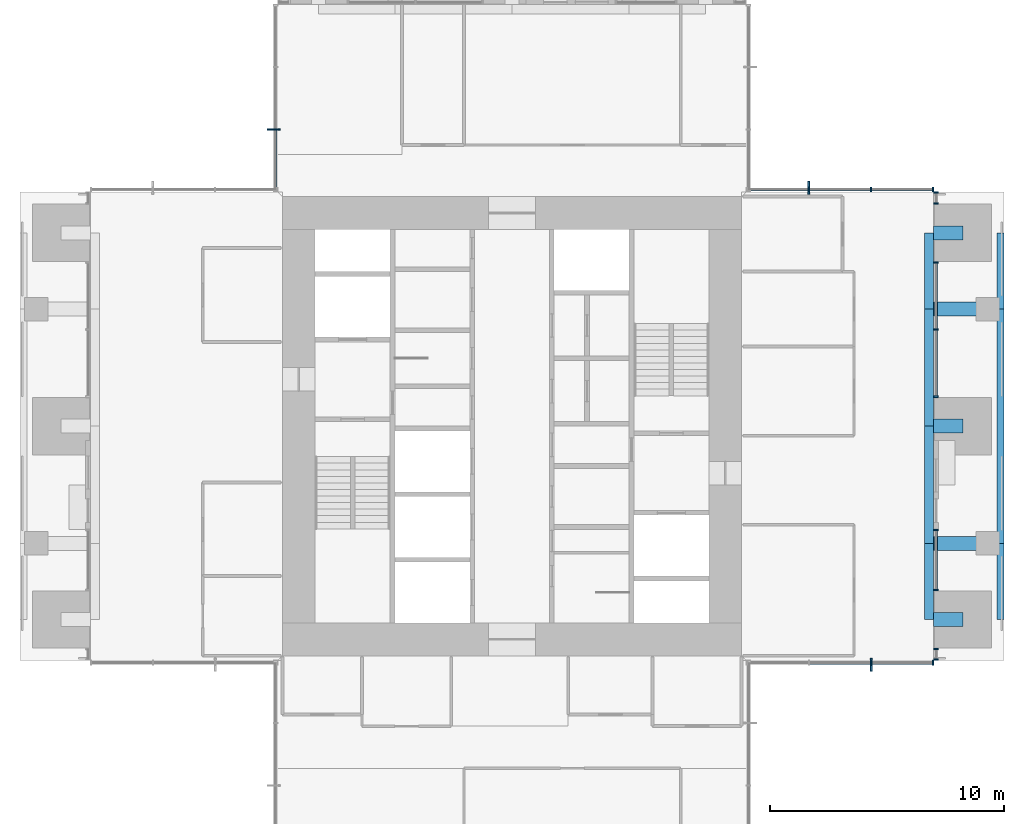
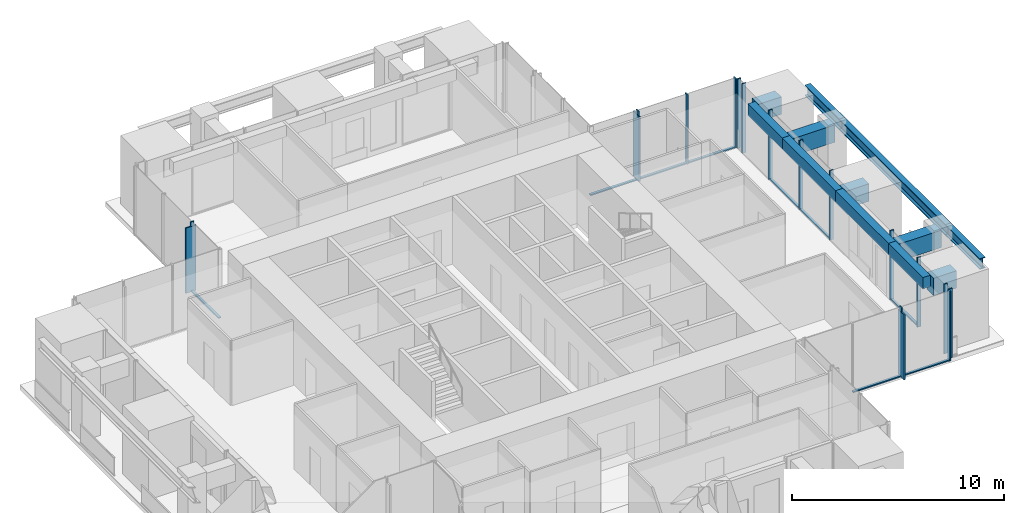
# One storey, part 4 of 17: 27 members, 12 beams, 7 elements without a shape of their own.
"""IFC4 building model written with IfcOpenShell, lengths in metres."""

from ifc_helpers import new_model, si_unit, direction, frame, origin, origin_2d, place, context, subcontext, project, spatial, rectangle, i_section, extrude, material, material_profile, profile_set, type_object, element, aggregate, save


model = new_model("IFC4")

# Units and contexts
model_context = context("Model", 3, precision=1e-05, world=origin(), true_north=direction((0.0, 1.0)))
body_context = subcontext(model_context, "Body", "Model", "MODEL_VIEW")
ifc_project = project(units=[si_unit("LENGTHUNIT", "METRE"), si_unit("AREAUNIT", "SQUARE_METRE"), si_unit("VOLUMEUNIT", "CUBIC_METRE"), si_unit("PLANEANGLEUNIT", "RADIAN"), si_unit("MASSUNIT", "GRAM", prefix="KILO")], contexts=[model_context])

# Site, building, storey
site_placement = place(None, origin())
site = spatial("IfcSite", under=ifc_project, at=site_placement, CompositionType="ELEMENT")
building_placement = place(site_placement, origin())
building = spatial("IfcBuilding", under=site, at=building_placement, Name="Svetlomir Tower", CompositionType="ELEMENT")
storey_placement = place(building_placement, frame((0.0, 0.0, 194.5)))
storey = spatial("IfcBuildingStorey", under=building, at=storey_placement, Name="L46", CompositionType="ELEMENT", Elevation=194.5)

# Curtain wall, member
ifc_material_1 = material(Name="Bronze anodised aluminium curtain wall", Category="aluminium")
curtain_wall_type = type_object("IfcCurtainWallType", Name="CURTAIN WALL CW1 TOWER OFFICE", PredefinedType="NOTDEFINED", material=ifc_material_1)
curtain_wall_1_placement = place(storey_placement, origin())
curtain_wall_1 = element("IfcCurtainWall", 1, at=curtain_wall_1_placement, inside=storey, type_object=curtain_wall_type, Name="Curtain wall CW1 L46", PredefinedType="NOTDEFINED")
ifc_material_2 = material(Name="Bronze anodised aluminium", Category="aluminium")
ifc_material_profile_1 = material_profile(ifc_material_2, rectangle(XDim=0.080078125, YDim=0.550048828125, at=origin_2d()), Name="FIN 80x550")
ifc_profile_set_1 = profile_set([ifc_material_profile_1], Name="Bronze anodised aluminium 6063-T6")
member_type_1 = type_object("IfcMemberType", Name="BRONZE FIN 80x550", PredefinedType="USERDEFINED", material=ifc_profile_set_1)
member_1_placement = place(storey_placement, frame((36.333251953125, 10.824951171875, 0.0), z_axis=(0.0, 0.0, 1.0), x_axis=(1.0, 0.0, 0.0)))
member_1 = element("IfcMember", 2, at=member_1_placement, type_object=member_type_1, Name="Bronze fin L46", ObjectType="FIN", PredefinedType="USERDEFINED", context=body_context, shape_type="SweptSolid", body=[
    extrude(rectangle(XDim=0.080078125, YDim=0.550048828125, at=origin_2d()), origin(), (0.0, 0.0, 1.0), 3.75),
])

curtain_wall_2_placement = place(storey_placement, origin())
curtain_wall_2 = element("IfcCurtainWall", 3, at=curtain_wall_2_placement, inside=storey, type_object=curtain_wall_type, Name="Curtain wall CW1 L46", PredefinedType="NOTDEFINED")
member_2_placement = place(storey_placement, frame((33.666748046875, 31.175048828125, 0.0), z_axis=(0.0, 0.0, 1.0), x_axis=(1.0, 0.0, 0.0)))
member_2 = element("IfcMember", 4, at=member_2_placement, type_object=member_type_1, Name="Bronze fin L46", ObjectType="FIN", PredefinedType="USERDEFINED", context=body_context, shape_type="SweptSolid", body=[
    extrude(rectangle(XDim=0.080078125, YDim=0.550048828125, at=origin_2d()), origin(), (0.0, 0.0, 1.0), 3.75),
])

curtain_wall_3_placement = place(storey_placement, origin())
curtain_wall_3 = element("IfcCurtainWall", 5, at=curtain_wall_3_placement, inside=storey, type_object=curtain_wall_type, Name="Curtain wall CW1 L46", PredefinedType="NOTDEFINED")
member_3_placement = place(storey_placement, frame((10.824951171875, 33.666748046875, 0.0), z_axis=(0.0, 0.0, 1.0), x_axis=(0.0, 1.0, 0.0)))
member_3 = element("IfcMember", 6, at=member_3_placement, type_object=member_type_1, Name="Bronze fin L46", ObjectType="FIN", PredefinedType="USERDEFINED", context=body_context, shape_type="SweptSolid", body=[
    extrude(rectangle(XDim=0.080078125, YDim=0.550048828125, at=origin_2d()), origin(), (0.0, 0.0, 1.0), 3.75),
])

# Member
ifc_material_3 = material(Name="Bronze anodised aluminium", Category="aluminium")
ifc_material_profile_2 = material_profile(ifc_material_3, rectangle(XDim=0.06494140625, YDim=0.199951171875, at=origin_2d()), Name="AL 65x200")
ifc_profile_set_2 = profile_set([ifc_material_profile_2], Name="Bronze anodised aluminium 6063-T6")
member_type_2 = type_object("IfcMemberType", Name="CW1 MULLION 65x200", PredefinedType="MULLION", material=ifc_profile_set_2)
member_4_placement = place(storey_placement, frame((36.333251953125, 10.89990234375, 0.0), z_axis=(0.0, 0.0, 1.0), x_axis=(1.0, 0.0, 0.0)))
member_4 = element("IfcMember", 7, at=member_4_placement, type_object=member_type_2, Name="CW1 mullion 3", PredefinedType="MULLION", context=body_context, shape_type="SweptSolid", body=[
    extrude(rectangle(XDim=0.06494140625, YDim=0.199951171875, at=origin_2d()), origin(), (0.0, 0.0, 1.0), 4.0),
])

member_5_placement = place(storey_placement, frame((38.967529296875, 10.89990234375, 0.0), z_axis=(0.0, 0.0, 1.0), x_axis=(1.0, 0.0, 0.0)))
member_5 = element("IfcMember", 8, at=member_5_placement, type_object=member_type_2, Name="CW1 mullion 4", PredefinedType="MULLION", context=body_context, shape_type="SweptSolid", body=[
    extrude(rectangle(XDim=0.06494140625, YDim=0.199951171875, at=origin_2d()), origin(), (0.0, 0.0, 1.0), 4.0),
])

# Curtain wall, members
curtain_wall_4_placement = place(storey_placement, origin())
curtain_wall_4 = element("IfcCurtainWall", 9, at=curtain_wall_4_placement, inside=storey, type_object=curtain_wall_type, Name="Curtain wall CW1 L46", PredefinedType="NOTDEFINED")
member_6_placement = place(storey_placement, frame((39.10009765625, 11.032470703125, 0.0), z_axis=(0.0, 0.0, 1.0), x_axis=(0.0, 1.0, 0.0)))
member_6 = element("IfcMember", 10, at=member_6_placement, type_object=member_type_2, Name="CW1 mullion 1", PredefinedType="MULLION", context=body_context, shape_type="SweptSolid", body=[
    extrude(rectangle(XDim=0.06494140625, YDim=0.199951171875, at=origin_2d()), origin(), (0.0, 0.0, 1.0), 4.0),
])
member_7_placement = place(storey_placement, frame((39.10009765625, 11.492431640625, 0.0), z_axis=(0.0, 0.0, 1.0), x_axis=(0.0, 1.0, 0.0)))
member_7 = element("IfcMember", 11, at=member_7_placement, type_object=member_type_2, Name="CW1 mullion 2", PredefinedType="MULLION", context=body_context, shape_type="SweptSolid", body=[
    extrude(rectangle(XDim=0.06494140625, YDim=0.199951171875, at=origin_2d()), origin(), (0.0, 0.0, 1.0), 4.0),
])
aggregate(curtain_wall_4, [member_6, member_7])

curtain_wall_5_placement = place(storey_placement, origin())
curtain_wall_5 = element("IfcCurtainWall", 12, at=curtain_wall_5_placement, inside=storey, type_object=curtain_wall_type, Name="Curtain wall CW1 L46", PredefinedType="NOTDEFINED")
member_8_placement = place(storey_placement, frame((39.10009765625, 14.007568359375, 0.0), z_axis=(0.0, 0.0, 1.0), x_axis=(0.0, 1.0, 0.0)))
member_8 = element("IfcMember", 13, at=member_8_placement, type_object=member_type_2, Name="CW1 mullion 1", PredefinedType="MULLION", context=body_context, shape_type="SweptSolid", body=[
    extrude(rectangle(XDim=0.06494140625, YDim=0.199951171875, at=origin_2d()), origin(), (0.0, 0.0, 1.0), 4.0),
])
member_9_placement = place(storey_placement, frame((39.10009765625, 16.5673828125, 0.0), z_axis=(0.0, 0.0, 1.0), x_axis=(0.0, 1.0, 0.0)))
member_9 = element("IfcMember", 14, at=member_9_placement, type_object=member_type_2, Name="CW1 mullion 2", PredefinedType="MULLION", context=body_context, shape_type="SweptSolid", body=[
    extrude(rectangle(XDim=0.06494140625, YDim=0.199951171875, at=origin_2d()), origin(), (0.0, 0.0, 1.0), 4.0),
])

curtain_wall_6_placement = place(storey_placement, origin())
curtain_wall_6 = element("IfcCurtainWall", 15, at=curtain_wall_6_placement, inside=storey, type_object=curtain_wall_type, Name="Curtain wall CW1 L46", PredefinedType="NOTDEFINED")
member_10_placement = place(storey_placement, frame((39.10009765625, 22.257568359375, 0.0), z_axis=(0.0, 0.0, 1.0), x_axis=(0.0, 1.0, 0.0)))
member_10 = element("IfcMember", 16, at=member_10_placement, type_object=member_type_2, Name="CW1 mullion 1", PredefinedType="MULLION", context=body_context, shape_type="SweptSolid", body=[
    extrude(rectangle(XDim=0.06494140625, YDim=0.199951171875, at=origin_2d()), origin(), (0.0, 0.0, 1.0), 4.0),
])
member_11_placement = place(storey_placement, frame((39.10009765625, 25.125, 0.0), z_axis=(0.0, 0.0, 1.0), x_axis=(0.0, 1.0, 0.0)))
member_11 = element("IfcMember", 17, at=member_11_placement, type_object=member_type_2, Name="CW1 mullion 2", PredefinedType="MULLION", context=body_context, shape_type="SweptSolid", body=[
    extrude(rectangle(XDim=0.06494140625, YDim=0.199951171875, at=origin_2d()), origin(), (0.0, 0.0, 1.0), 4.0),
])
member_12_placement = place(storey_placement, frame((39.10009765625, 27.992431640625, 0.0), z_axis=(0.0, 0.0, 1.0), x_axis=(0.0, 1.0, 0.0)))
member_12 = element("IfcMember", 18, at=member_12_placement, type_object=member_type_2, Name="CW1 mullion 3", PredefinedType="MULLION", context=body_context, shape_type="SweptSolid", body=[
    extrude(rectangle(XDim=0.06494140625, YDim=0.199951171875, at=origin_2d()), origin(), (0.0, 0.0, 1.0), 4.0),
])

curtain_wall_7_placement = place(storey_placement, origin())
curtain_wall_7 = element("IfcCurtainWall", 19, at=curtain_wall_7_placement, inside=storey, type_object=curtain_wall_type, Name="Curtain wall CW1 L46", PredefinedType="NOTDEFINED")
member_13_placement = place(storey_placement, frame((39.10009765625, 30.507568359375, 0.0), z_axis=(0.0, 0.0, 1.0), x_axis=(0.0, 1.0, 0.0)))
member_13 = element("IfcMember", 20, at=member_13_placement, type_object=member_type_2, Name="CW1 mullion 1", PredefinedType="MULLION", context=body_context, shape_type="SweptSolid", body=[
    extrude(rectangle(XDim=0.06494140625, YDim=0.199951171875, at=origin_2d()), origin(), (0.0, 0.0, 1.0), 4.0),
])
member_14_placement = place(storey_placement, frame((39.10009765625, 30.967529296875, 0.0), z_axis=(0.0, 0.0, 1.0), x_axis=(0.0, 1.0, 0.0)))
member_14 = element("IfcMember", 21, at=member_14_placement, type_object=member_type_2, Name="CW1 mullion 2", PredefinedType="MULLION", context=body_context, shape_type="SweptSolid", body=[
    extrude(rectangle(XDim=0.06494140625, YDim=0.199951171875, at=origin_2d()), origin(), (0.0, 0.0, 1.0), 4.0),
])
aggregate(curtain_wall_7, [member_13, member_14])

# Member
member_15_placement = place(storey_placement, frame((38.967529296875, 31.10009765625, 0.0), z_axis=(0.0, 0.0, 1.0), x_axis=(-1.0, 0.0, 0.0)))
member_15 = element("IfcMember", 22, at=member_15_placement, type_object=member_type_2, Name="CW1 mullion 1", PredefinedType="MULLION", context=body_context, shape_type="SweptSolid", body=[
    extrude(rectangle(XDim=0.06494140625, YDim=0.199951171875, at=origin_2d()), origin(), (0.0, 0.0, 1.0), 4.0),
])

member_16_placement = place(storey_placement, frame((36.333251953125, 31.10009765625, 0.0), z_axis=(0.0, 0.0, 1.0), x_axis=(-1.0, 0.0, 0.0)))
member_16 = element("IfcMember", 23, at=member_16_placement, type_object=member_type_2, Name="CW1 mullion 2", PredefinedType="MULLION", context=body_context, shape_type="SweptSolid", body=[
    extrude(rectangle(XDim=0.06494140625, YDim=0.199951171875, at=origin_2d()), origin(), (0.0, 0.0, 1.0), 4.0),
])

member_17_placement = place(storey_placement, frame((33.666748046875, 31.10009765625, 0.0), z_axis=(0.0, 0.0, 1.0), x_axis=(-1.0, 0.0, 0.0)))
member_17 = element("IfcMember", 24, at=member_17_placement, type_object=member_type_2, Name="CW1 mullion 3", PredefinedType="MULLION", context=body_context, shape_type="SweptSolid", body=[
    extrude(rectangle(XDim=0.06494140625, YDim=0.199951171875, at=origin_2d()), origin(), (0.0, 0.0, 1.0), 4.0),
])

member_18_placement = place(storey_placement, frame((10.89990234375, 33.666748046875, 0.0), z_axis=(0.0, 0.0, 1.0), x_axis=(0.0, -1.0, 0.0)))
member_18 = element("IfcMember", 25, at=member_18_placement, type_object=member_type_2, Name="CW1 mullion 3", PredefinedType="MULLION", context=body_context, shape_type="SweptSolid", body=[
    extrude(rectangle(XDim=0.06494140625, YDim=0.199951171875, at=origin_2d()), origin(), (0.0, 0.0, 1.0), 4.0),
])

ifc_material_4 = material(Name="Bronze anodised aluminium", Category="aluminium")
ifc_material_profile_3 = material_profile(ifc_material_4, rectangle(XDim=0.139892578125, YDim=0.06494140625, at=origin_2d()), Name="AL 140x65")
ifc_profile_set_3 = profile_set([ifc_material_profile_3], Name="Bronze anodised aluminium 6063-T6")
member_type_3 = type_object("IfcMemberType", Name="CW1 TRANSOM 65x140", PredefinedType="USERDEFINED", material=ifc_profile_set_3)
member_19_placement = place(storey_placement, frame((33.69921875, 10.89990234375, 0.032470703125), z_axis=(1.0, 0.0, 0.0), x_axis=(0.0, 1.0, 0.0)))
member_19 = element("IfcMember", 26, at=member_19_placement, type_object=member_type_3, Name="CW1 transom 2.1", ObjectType="TRANSOM", PredefinedType="USERDEFINED", context=body_context, shape_type="SweptSolid", body=[
    extrude(rectangle(XDim=0.139892578125, YDim=0.06494140625, at=origin_2d()), origin(), (0.0, 0.0, 1.0), 2.6015625),
])

member_20_placement = place(storey_placement, frame((36.36572265625, 10.89990234375, 0.032470703125), z_axis=(1.0, 0.0, 0.0), x_axis=(0.0, 1.0, 0.0)))
member_20 = element("IfcMember", 27, at=member_20_placement, type_object=member_type_3, Name="CW1 transom 3.1", ObjectType="TRANSOM", PredefinedType="USERDEFINED", context=body_context, shape_type="SweptSolid", body=[
    extrude(rectangle(XDim=0.139892578125, YDim=0.06494140625, at=origin_2d()), origin(), (0.0, 0.0, 1.0), 2.5693359375),
])

aggregate(curtain_wall_1, [member_4, member_5, member_19, member_20, member_1])

member_21_placement = place(storey_placement, frame((39.10009765625, 14.0400390625, 0.032470703125), z_axis=(0.0, 1.0, 0.0), x_axis=(-1.0, 0.0, 0.0)))
member_21 = element("IfcMember", 28, at=member_21_placement, type_object=member_type_3, Name="CW1 transom 1.1", ObjectType="TRANSOM", PredefinedType="USERDEFINED", context=body_context, shape_type="SweptSolid", body=[
    extrude(rectangle(XDim=0.139892578125, YDim=0.06494140625, at=origin_2d()), origin(), (0.0, 0.0, 1.0), 2.494873046875),
])

aggregate(curtain_wall_5, [member_8, member_9, member_21])

member_22_placement = place(storey_placement, frame((39.10009765625, 22.2900390625, 0.032470703125), z_axis=(0.0, 1.0, 0.0), x_axis=(-1.0, 0.0, 0.0)))
member_22 = element("IfcMember", 29, at=member_22_placement, type_object=member_type_3, Name="CW1 transom 1.1", ObjectType="TRANSOM", PredefinedType="USERDEFINED", context=body_context, shape_type="SweptSolid", body=[
    extrude(rectangle(XDim=0.139892578125, YDim=0.06494140625, at=origin_2d()), origin(), (0.0, 0.0, 1.0), 2.802490234375),
])

member_23_placement = place(storey_placement, frame((39.10009765625, 25.157470703125, 0.032470703125), z_axis=(0.0, 1.0, 0.0), x_axis=(-1.0, 0.0, 0.0)))
member_23 = element("IfcMember", 30, at=member_23_placement, type_object=member_type_3, Name="CW1 transom 2.1", ObjectType="TRANSOM", PredefinedType="USERDEFINED", context=body_context, shape_type="SweptSolid", body=[
    extrude(rectangle(XDim=0.139892578125, YDim=0.06494140625, at=origin_2d()), origin(), (0.0, 0.0, 1.0), 2.802490234375),
])

aggregate(curtain_wall_6, [member_10, member_11, member_12, member_22, member_23])

member_24_placement = place(storey_placement, frame((38.93505859375, 31.10009765625, 0.032470703125), z_axis=(-1.0, 0.0, 0.0), x_axis=(0.0, -1.0, 0.0)))
member_24 = element("IfcMember", 31, at=member_24_placement, type_object=member_type_3, Name="CW1 transom 1.1", ObjectType="TRANSOM", PredefinedType="USERDEFINED", context=body_context, shape_type="SweptSolid", body=[
    extrude(rectangle(XDim=0.139892578125, YDim=0.06494140625, at=origin_2d()), origin(), (0.0, 0.0, 1.0), 2.5693359375),
])

member_25_placement = place(storey_placement, frame((36.30078125, 31.10009765625, 0.032470703125), z_axis=(-1.0, 0.0, 0.0), x_axis=(0.0, -1.0, 0.0)))
member_25 = element("IfcMember", 32, at=member_25_placement, type_object=member_type_3, Name="CW1 transom 2.1", ObjectType="TRANSOM", PredefinedType="USERDEFINED", context=body_context, shape_type="SweptSolid", body=[
    extrude(rectangle(XDim=0.139892578125, YDim=0.06494140625, at=origin_2d()), origin(), (0.0, 0.0, 1.0), 2.6015625),
])

member_26_placement = place(storey_placement, frame((33.63427734375, 31.10009765625, 0.032470703125), z_axis=(-1.0, 0.0, 0.0), x_axis=(0.0, -1.0, 0.0)))
member_26 = element("IfcMember", 33, at=member_26_placement, type_object=member_type_3, Name="CW1 transom 3.1", ObjectType="TRANSOM", PredefinedType="USERDEFINED", context=body_context, shape_type="SweptSolid", body=[
    extrude(rectangle(XDim=0.139892578125, YDim=0.06494140625, at=origin_2d()), origin(), (0.0, 0.0, 1.0), 2.5693359375),
])

aggregate(curtain_wall_2, [member_15, member_16, member_17, member_24, member_25, member_26, member_2])

member_27_placement = place(storey_placement, frame((10.89990234375, 33.63427734375, 0.032470703125), z_axis=(0.0, -1.0, 0.0), x_axis=(1.0, 0.0, 0.0)))
member_27 = element("IfcMember", 34, at=member_27_placement, type_object=member_type_3, Name="CW1 transom 3.1", ObjectType="TRANSOM", PredefinedType="USERDEFINED", context=body_context, shape_type="SweptSolid", body=[
    extrude(rectangle(XDim=0.139892578125, YDim=0.06494140625, at=origin_2d()), origin(), (0.0, 0.0, 1.0), 2.5693359375),
])

aggregate(curtain_wall_3, [member_18, member_27, member_3])

# Beams
ifc_material_5 = material(Name="Steel S355", Category="steel")
ifc_material_profile_4 = material_profile(ifc_material_5, i_section(OverallWidth=0.304931640625, OverallDepth=0.6201171875, WebThickness=0.02099609375, FlangeThickness=0.0400390625, FilletRadius=0.027099609375, at=origin_2d()), Name="HEM 600")
ifc_profile_set_4 = profile_set([ifc_material_profile_4], Name="Steel S355")
beam_type_1 = type_object("IfcBeamType", Name="EDGE BEAM HEM 600", PredefinedType="SPANDREL", material=ifc_profile_set_4)
beam_1_placement = place(storey_placement, frame((41.847412109375, 12.75, 3.43994140625), z_axis=(0.0, 1.0, 0.0), x_axis=(-1.0, 0.0, 0.0)))
element("IfcBeam", 35, at=beam_1_placement, inside=storey, type_object=beam_type_1, Name="Edge beam 42/11 to 42/16 under L47", PredefinedType="SPANDREL", context=body_context, shape_type="SweptSolid", body=[
    extrude(i_section(OverallWidth=0.304931640625, OverallDepth=0.6201171875, WebThickness=0.02099609375, FlangeThickness=0.0400390625, FilletRadius=0.027099609375, at=origin_2d()), origin(), (0.0, 0.0, 1.0), 3.25),
])
beam_2_placement = place(storey_placement, frame((41.847412109375, 16.0, 3.43994140625), z_axis=(0.0, 1.0, 0.0), x_axis=(-1.0, 0.0, 0.0)))
element("IfcBeam", 36, at=beam_2_placement, inside=storey, type_object=beam_type_1, Name="Edge beam 42/16 to 42/26 under L47", PredefinedType="SPANDREL", context=body_context, shape_type="SweptSolid", body=[
    extrude(i_section(OverallWidth=0.304931640625, OverallDepth=0.6201171875, WebThickness=0.02099609375, FlangeThickness=0.0400390625, FilletRadius=0.027099609375, at=origin_2d()), origin(), (0.0, 0.0, 1.0), 10.0),
])
beam_3_placement = place(storey_placement, frame((41.847412109375, 26.0, 3.43994140625), z_axis=(0.0, 1.0, 0.0), x_axis=(-1.0, 0.0, 0.0)))
element("IfcBeam", 37, at=beam_3_placement, inside=storey, type_object=beam_type_1, Name="Edge beam 42/26 to 42/31 under L47", PredefinedType="SPANDREL", context=body_context, shape_type="SweptSolid", body=[
    extrude(i_section(OverallWidth=0.304931640625, OverallDepth=0.6201171875, WebThickness=0.02099609375, FlangeThickness=0.0400390625, FilletRadius=0.027099609375, at=origin_2d()), origin(), (0.0, 0.0, 1.0), 3.25),
])
ifc_material_6 = material(Name="Concrete C60/75", Category="concrete")
ifc_material_profile_5 = material_profile(ifc_material_6, rectangle(XDim=0.39990234375, YDim=0.64990234375, at=origin_2d()), Name="RC 400x650")
ifc_profile_set_5 = profile_set([ifc_material_profile_5], Name="Concrete C60/75")
beam_type_2 = type_object("IfcBeamType", Name="FACADE EDGE BEAM RC 400x650", PredefinedType="BEAM", material=ifc_profile_set_5)
beam_4_placement = place(storey_placement, frame((38.800048828125, 12.75, 3.425048828125), z_axis=(0.0, 1.0, 0.0), x_axis=(-1.0, 0.0, 0.0)))
element("IfcBeam", 38, at=beam_4_placement, inside=storey, type_object=beam_type_2, Name="Facade edge beam E 11 to 16 under L47", PredefinedType="BEAM", context=body_context, shape_type="SweptSolid", body=[
    extrude(rectangle(XDim=0.39990234375, YDim=0.64990234375, at=origin_2d()), origin(), (0.0, 0.0, 1.0), 3.25),
])
for number, where, z_axis, x_axis, name in (
    (39, (38.800048828125, 16.0, 3.425048828125), (0.0, 1.0, 0.0), (-1.0, 0.0, 0.0), "Facade edge beam E 16 to 21 under L47"),
    (40, (38.800048828125, 21.0, 3.425048828125), (0.0, 1.0, 0.0), (-1.0, 0.0, 0.0), "Facade edge beam E 21 to 26 under L47"),
):
    element("IfcBeam", number, at=place(storey_placement, frame(where, z_axis=z_axis, x_axis=x_axis)), inside=storey, type_object=beam_type_2, Name=name, PredefinedType="BEAM", context=body_context, shape_type="SweptSolid", body=[
        extrude(rectangle(XDim=0.39990234375, YDim=0.64990234375, at=origin_2d()), origin(), (0.0, 0.0, 1.0), 5.0),
    ])
beam_5_placement = place(storey_placement, frame((38.800048828125, 26.0, 3.425048828125), z_axis=(0.0, 1.0, 0.0), x_axis=(-1.0, 0.0, 0.0)))
element("IfcBeam", 41, at=beam_5_placement, inside=storey, type_object=beam_type_2, Name="Facade edge beam E 26 to 31 under L47", PredefinedType="BEAM", context=body_context, shape_type="SweptSolid", body=[
    extrude(rectangle(XDim=0.39990234375, YDim=0.64990234375, at=origin_2d()), origin(), (0.0, 0.0, 1.0), 3.25),
])
ifc_material_7 = material(Name="Concrete C60/75", Category="concrete")
ifc_material_profile_6 = material_profile(ifc_material_7, rectangle(XDim=0.60009765625, YDim=1.0, at=origin_2d()), Name="RC 600x1000")
ifc_profile_set_6 = profile_set([ifc_material_profile_6], Name="Concrete C60/75")
beam_type_3 = type_object("IfcBeamType", Name="LOGGIA LINK BEAM RC 600x1000", PredefinedType="BEAM", material=ifc_profile_set_6)
beam_6_placement = place(storey_placement, frame((40.25, 12.75, 3.25), z_axis=(-1.0, 0.0, 0.0), x_axis=(0.0, -1.0, 0.0)))
element("IfcBeam", 42, at=beam_6_placement, inside=storey, type_object=beam_type_3, Name="Loggia link beam E 11 under L47", PredefinedType="BEAM", context=body_context, shape_type="SweptSolid", body=[
    extrude(rectangle(XDim=0.60009765625, YDim=1.0, at=origin_2d()), origin(), (0.0, 0.0, 1.0), 1.25),
])
beam_7_placement = place(storey_placement, frame((41.300048828125, 16.0, 3.25), z_axis=(-1.0, 0.0, 0.0), x_axis=(0.0, -1.0, 0.0)))
element("IfcBeam", 43, at=beam_7_placement, inside=storey, type_object=beam_type_3, Name="Loggia link beam E 16 under L47", PredefinedType="BEAM", context=body_context, shape_type="SweptSolid", body=[
    extrude(rectangle(XDim=0.60009765625, YDim=1.0, at=origin_2d()), origin(), (0.0, 0.0, 1.0), 2.300048828125),
])
beam_8_placement = place(storey_placement, frame((40.25, 21.0, 3.25), z_axis=(-1.0, 0.0, 0.0), x_axis=(0.0, -1.0, 0.0)))
element("IfcBeam", 44, at=beam_8_placement, inside=storey, type_object=beam_type_3, Name="Loggia link beam E 21 under L47", PredefinedType="BEAM", context=body_context, shape_type="SweptSolid", body=[
    extrude(rectangle(XDim=0.60009765625, YDim=1.0, at=origin_2d()), origin(), (0.0, 0.0, 1.0), 1.25),
])
beam_9_placement = place(storey_placement, frame((41.300048828125, 26.0, 3.25), z_axis=(-1.0, 0.0, 0.0), x_axis=(0.0, -1.0, 0.0)))
element("IfcBeam", 45, at=beam_9_placement, inside=storey, type_object=beam_type_3, Name="Loggia link beam E 26 under L47", PredefinedType="BEAM", context=body_context, shape_type="SweptSolid", body=[
    extrude(rectangle(XDim=0.60009765625, YDim=1.0, at=origin_2d()), origin(), (0.0, 0.0, 1.0), 2.300048828125),
])
beam_10_placement = place(storey_placement, frame((40.25, 29.25, 3.25), z_axis=(-1.0, 0.0, 0.0), x_axis=(0.0, -1.0, 0.0)))
element("IfcBeam", 46, at=beam_10_placement, inside=storey, type_object=beam_type_3, Name="Loggia link beam E 31 under L47", PredefinedType="BEAM", context=body_context, shape_type="SweptSolid", body=[
    extrude(rectangle(XDim=0.60009765625, YDim=1.0, at=origin_2d()), origin(), (0.0, 0.0, 1.0), 1.25),
])

save(model, "model.ifc")
